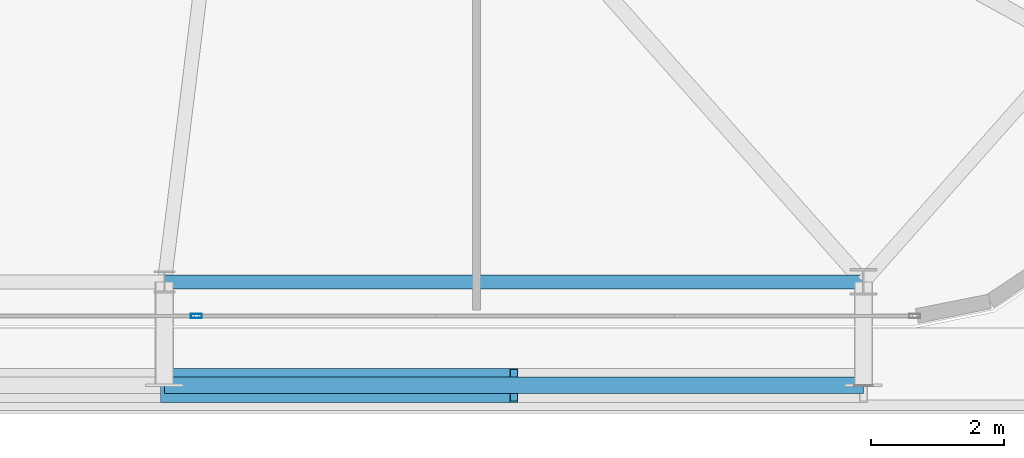
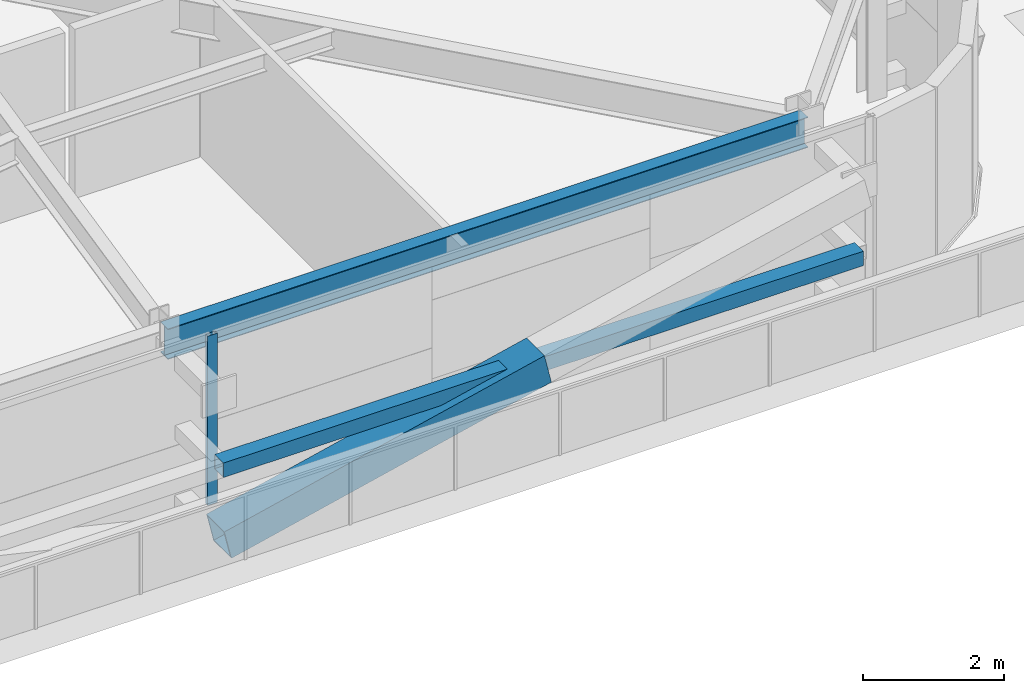
# One storey, part 21 of 56: 3 members, 1 beam, 1 element without a shape of its own.
"""IFC4 building model written with IfcOpenShell, lengths in metres."""

from ifc_helpers import new_model, si_unit, direction, frame, origin, origin_2d, place, context, subcontext, project, spatial, hollow_rectangle, i_section, extrude, source, transform, mapped, material, layer, layer_set, material_profile, profile_set, type_object, element, aggregate, save


model = new_model("IFC4")

# Units and contexts
model_context = context("Model", 3, precision=1e-05, world=origin(), true_north=direction((0.0, 1.0)))
body_context = subcontext(model_context, "Body", "Model", "MODEL_VIEW")
ifc_project = project(units=[si_unit("LENGTHUNIT", "METRE"), si_unit("AREAUNIT", "SQUARE_METRE"), si_unit("VOLUMEUNIT", "CUBIC_METRE"), si_unit("PLANEANGLEUNIT", "RADIAN"), si_unit("MASSUNIT", "GRAM", prefix="KILO")], contexts=[model_context])

# Site, building, storey
site_placement = place(None, origin())
site = spatial("IfcSite", under=ifc_project, at=site_placement, CompositionType="ELEMENT")
building_placement = place(site_placement, origin())
building = spatial("IfcBuilding", under=site, at=building_placement, Name="Taldren Reach Tower", CompositionType="ELEMENT")
storey_placement = place(building_placement, frame((0.0, 0.0, 16.800048828125)))
storey = spatial("IfcBuildingStorey", under=building, at=storey_placement, Name="L04", CompositionType="ELEMENT", Elevation=16.800048828125)

# Beam
ifc_material_1 = material(Name="Steel Gr 350 (350PLUS)", Category="steel")
ifc_material_profile_1 = material_profile(ifc_material_1, i_section(OverallWidth=0.208984375, OverallDepth=0.528076171875, WebThickness=0.009521484375, FlangeThickness=0.01318359375, at=origin_2d()), Name="530UB82.0")
ifc_profile_set_1 = profile_set([ifc_material_profile_1], Name="Steel Gr 350 (350PLUS)")
beam_type = type_object("IfcBeamType", Name="SP-UB530B", PredefinedType="SPANDREL", material=ifc_profile_set_1)
shared_shape_1 = source(origin(), body_context, "Body", "SweptSolid", [
    extrude(i_section(OverallWidth=0.208984375, OverallDepth=0.528076171875, WebThickness=0.009521484375, FlangeThickness=0.01318359375, at=origin_2d()), origin(), (0.0, 0.0, 1.0), 10.47998046875),
])
beam_placement = place(storey_placement, frame((50.719970703125, 2.14990234375, 2.666015625), z_axis=(1.0, 0.0, 0.0), x_axis=(0.0, 1.0, 0.0)))
element("IfcBeam", 1, at=beam_placement, inside=storey, type_object=beam_type, Name="Perimeter spandrel B1 S5-S6 L04", PredefinedType="SPANDREL", context=body_context, shape_type="MappedRepresentation", body=[
    mapped(shared_shape_1, transform((0.0, 0.0, 0.0), scale=1.0)),
])

# Members
ifc_material_2 = material(Name="Steel Gr 450 (C450L0)", Category="steel")
ifc_material_profile_2 = material_profile(ifc_material_2, hollow_rectangle(XDim=0.510009765625, YDim=0.510009765625, WallThickness=0.02001953125, at=origin_2d()), Name="510x510x20.0SHS")
ifc_profile_set_2 = profile_set([ifc_material_profile_2], Name="Steel Gr 450 (C450L0)")
member_type_1 = type_object("IfcMemberType", Name="MB-EXO508", PredefinedType="BRACE", material=ifc_profile_set_2)
shared_shape_2 = source(origin(), body_context, "Body", "SweptSolid", [
    extrude(hollow_rectangle(XDim=0.510009765625, YDim=0.510009765625, WallThickness=0.02001953125, at=origin_2d()), origin(), (0.0, 0.0, 1.0), 5.37890625),
])
member_1_placement = place(storey_placement, frame((50.719970703125, 0.60009765625, 0.219970703125), z_axis=(0.97415197996, 0.0, 0.225893603143), x_axis=(0.0, 1.0, 0.0)))
element("IfcMember", 2, at=member_1_placement, inside=storey, type_object=member_type_1, Name="Exoskeleton Diagrid Brace B1-S5 L04", PredefinedType="BRACE", context=body_context, shape_type="MappedRepresentation", body=[
    mapped(shared_shape_2, transform((0.0, 0.0, 0.0), scale=1.0)),
])
ifc_material_3 = material(Name="Steel Gr 350 (C350L0)", Category="steel")
ifc_material_profile_3 = material_profile(ifc_material_3, hollow_rectangle(XDim=0.25, YDim=0.25, WallThickness=0.010009765625, at=origin_2d()), Name="250x250x10.0SHS")
ifc_profile_set_3 = profile_set([ifc_material_profile_3], Name="Steel Gr 350 (C350L0)")
member_type_2 = type_object("IfcMemberType", Name="MB-POST250", PredefinedType="POST", material=ifc_profile_set_3)
shared_shape_3 = source(origin(), body_context, "Body", "SweptSolid", [
    extrude(hollow_rectangle(XDim=0.25, YDim=0.25, WallThickness=0.010009765625, at=origin_2d()), origin(), (0.0, 0.0, 1.0), 10.47998046875),
])
member_2_placement = place(storey_placement, frame((50.719970703125, 0.60009765625, 1.43505859375), z_axis=(1.0, 0.0, 0.0), x_axis=(0.0, 1.0, 0.0)))
element("IfcMember", 3, at=member_2_placement, inside=storey, type_object=member_type_2, Name="Exoskeleton mid-height ring chord B1-S5 L04", PredefinedType="POST", context=body_context, shape_type="MappedRepresentation", body=[
    mapped(shared_shape_3, transform((0.0, 0.0, 0.0), scale=1.0)),
])

# Curtain wall, member
ifc_material_4 = material(Name="Aluminium and Low-E Glass Unitised System", Category="aluminium")
ifc_layer = layer(ifc_material_4, 0.159912109375)
ifc_layer_set = layer_set([ifc_layer], Name="Aluminium and Low-E Glass Unitised System")
curtain_wall_type = type_object("IfcCurtainWallType", Name="CW-SYS-2", PredefinedType="NOTDEFINED", material=ifc_layer_set)
curtain_wall_placement = place(storey_placement, origin())
curtain_wall = element("IfcCurtainWall", 4, at=curtain_wall_placement, inside=storey, type_object=curtain_wall_type, Name="Unitised curtain wall CW-L04-S", PredefinedType="NOTDEFINED")
ifc_material_5 = material(Name="Anodised Aluminium 6063-T6", Category="aluminium")
ifc_material_profile_4 = material_profile(ifc_material_5, hollow_rectangle(XDim=0.06494140625, YDim=0.1650390625, WallThickness=0.00390625, at=origin_2d()), Name="ALU-165x65x4RHS")
ifc_profile_set_4 = profile_set([ifc_material_profile_4], Name="Anodised Aluminium 6063-T6")
member_type_3 = type_object("IfcMemberType", Name="CW-MUL-165", PredefinedType="MULLION", material=ifc_profile_set_4)
shared_shape_4 = source(origin(), body_context, "Body", "SweptSolid", [
    extrude(hollow_rectangle(XDim=0.06494140625, YDim=0.1650390625, WallThickness=0.00390625, at=origin_2d()), origin(), (0.0, 0.0, 1.0), 2.929931640625),
])
member_3_placement = place(storey_placement, frame((51.199951171875, 1.639892578125, 0.0), z_axis=(0.0, 0.0, 1.0), x_axis=(0.0, 1.0, 0.0)))
member_3 = element("IfcMember", 5, at=member_3_placement, type_object=member_type_3, Name="CW-2 mullion 5", PredefinedType="MULLION", context=body_context, shape_type="MappedRepresentation", body=[
    mapped(shared_shape_4, transform((0.0, 0.0, 0.0), scale=1.0)),
])
aggregate(curtain_wall, [member_3])

save(model, "model.ifc")
